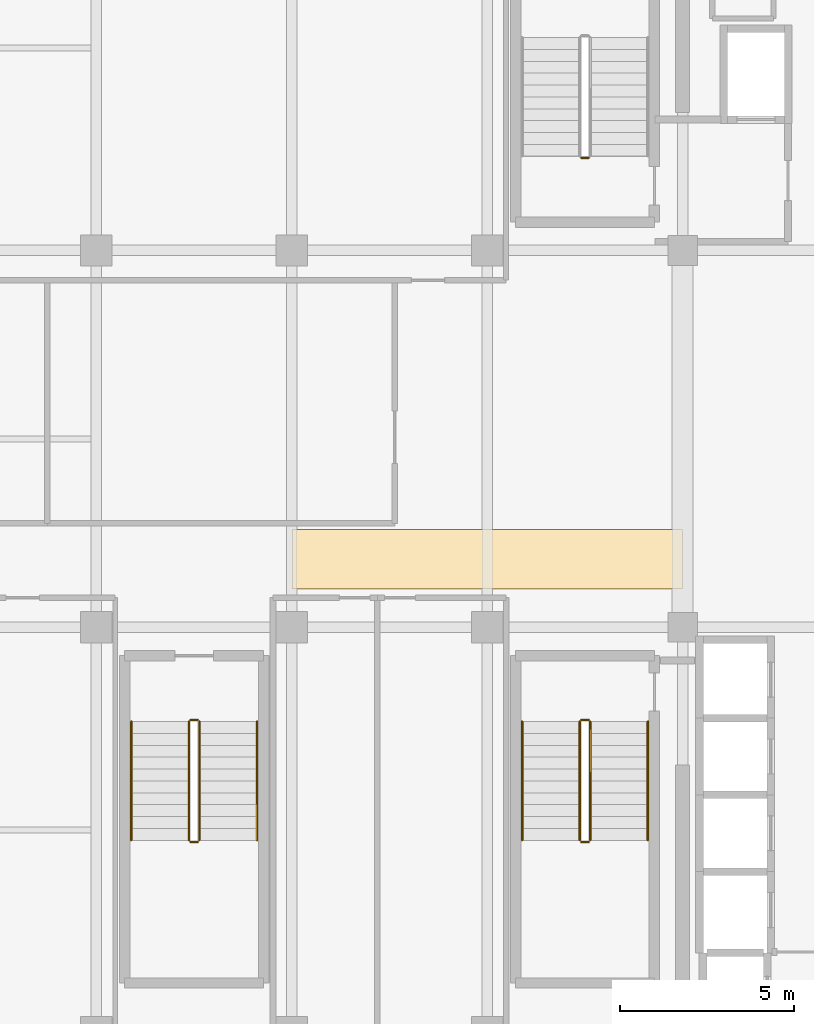
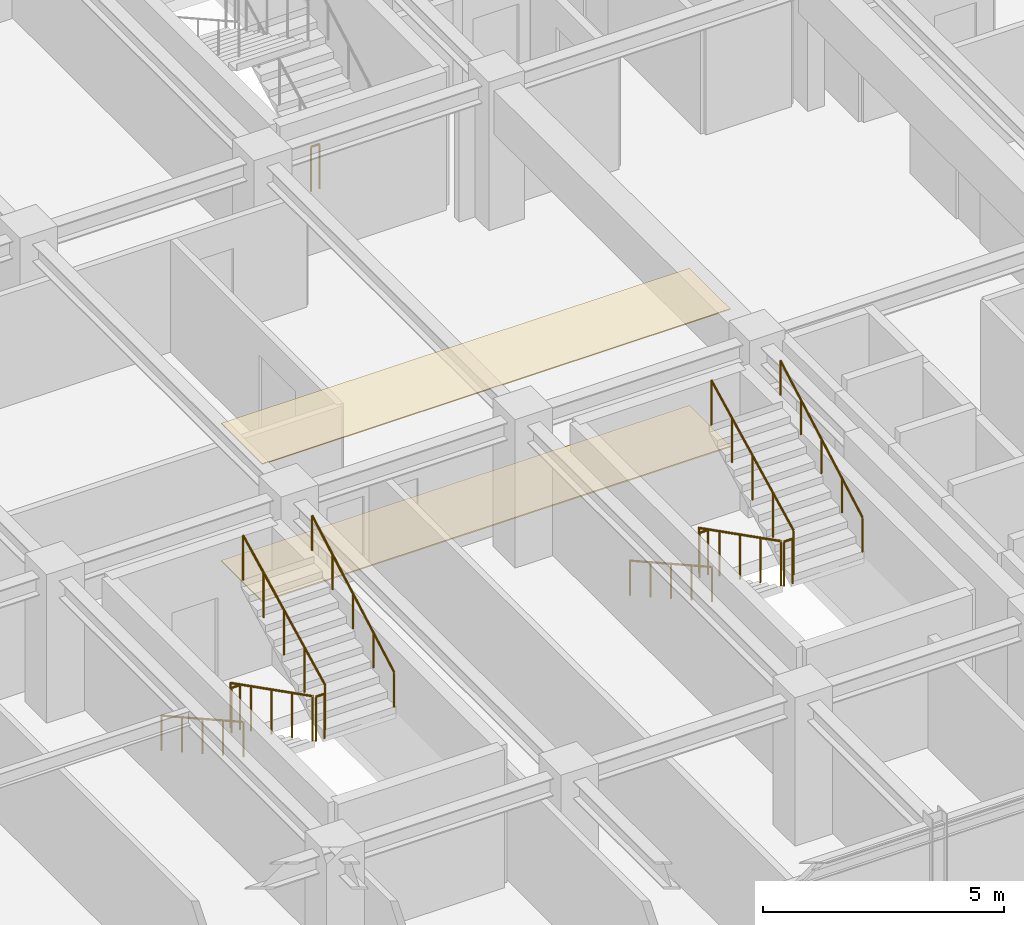
# One storey, part 34 of 36: 13 railings, 2 coverings.
"""IFC4 building model written with IfcOpenShell, lengths in metres."""

import ifcopenshell
import ifcopenshell.guid

model = None  # the IFC model being written
_history = None  # IfcOwnerHistory: only IFC2X3 demands one
_inside = {}  # id of a spatial element -> (the spatial element, [elements in it])
_under = {}  # id of a project, library or spatial element -> (it, [spatial elements below it])
_declared = {}  # id of a project -> (the project, [libraries it declares])
_typed = {}  # id of a type object -> (the type object, [elements of that type])
_made_of = {}  # id of a material, layer set ... -> (it, [elements and type objects made of it])


def new_model(schema):
    """Start an empty IFC model of exactly this schema.

    Asked for "IFC4X3", IfcOpenShell would pick the latest addendum, in which some entities
    have other attributes; the version numbers below select the first issue.
    IFC2X3 requires an IfcOwnerHistory on every rooted entity: one is made here for all.
    """
    global model, _history
    if schema == "IFC4X3":
        model = ifcopenshell.file(schema_version=(4, 3, 0, 0))
    else:
        model = ifcopenshell.file(schema=schema)
    _inside.clear()
    _under.clear()
    _declared.clear()
    _typed.clear()
    _made_of.clear()
    _history = None
    if model.schema == "IFC2X3":
        org = make("IfcOrganization", Name="unknown")
        user = make(
            "IfcPersonAndOrganization",
            ThePerson=make("IfcPerson", FamilyName="unknown"),
            TheOrganization=org,
        )
        app = make(
            "IfcApplication",
            ApplicationDeveloper=org,
            Version="unknown",
            ApplicationFullName="unknown",
            ApplicationIdentifier="unknown",
        )
        _history = make(
            "IfcOwnerHistory",
            OwningUser=user,
            OwningApplication=app,
            ChangeAction="ADDED",
            CreationDate=0,
        )
    return model


def make(cls, **values):
    """One entity of the class cls with the attributes given. An attribute that is None is left unset."""
    return model.create_entity(
        cls, **{name: value for name, value in values.items() if value is not None}
    )


def rooted(cls, **values):
    """An entity with a GlobalId (a new one), such as an element, a storey or a relation."""
    return make(cls, GlobalId=ifcopenshell.guid.new(), OwnerHistory=_history, **values)


def si_unit(unit_type, name, prefix=None):
    """IfcSIUnit, for example si_unit("LENGTHUNIT", "METRE", prefix="MILLI")."""
    return make("IfcSIUnit", UnitType=unit_type, Prefix=prefix, Name=name)


def assignment(units):
    """IfcUnitAssignment: the units of a project."""
    return None if units is None else make("IfcUnitAssignment", Units=units)


def point(xyz):
    """IfcCartesianPoint."""
    return None if xyz is None else make("IfcCartesianPoint", Coordinates=xyz)


def direction(xyz):
    """IfcDirection."""
    return None if xyz is None else make("IfcDirection", DirectionRatios=xyz)


def frame(location, z_axis=None, x_axis=None):
    """IfcAxis2Placement3D, a coordinate frame: its origin and axes. An axis left out is left unset."""
    return make(
        "IfcAxis2Placement3D",
        Location=point(location),
        Axis=direction(z_axis),
        RefDirection=direction(x_axis),
    )


def frame_2d(location, x_axis=None):
    """IfcAxis2Placement2D, a coordinate frame in the plane: its origin and x axis."""
    return make(
        "IfcAxis2Placement2D", Location=point(location), RefDirection=direction(x_axis)
    )


def origin():
    """The frame at (0, 0, 0) with its axes left unset."""
    return frame((0.0, 0.0, 0.0))


def origin_2d():
    """The frame at (0, 0) in the plane with its x axis left unset."""
    return frame_2d((0.0, 0.0))


def place(relative_to, where):
    """IfcLocalPlacement: puts the frame where relative to a parent placement (None: the world)."""
    return make(
        "IfcLocalPlacement", PlacementRelTo=relative_to, RelativePlacement=where
    )


def context(
    kind, dimensions, precision=None, world=None, true_north=None, identifier=None
):
    """IfcGeometricRepresentationContext, for example the 3D "Model" context."""
    return make(
        "IfcGeometricRepresentationContext",
        ContextIdentifier=identifier,
        ContextType=kind,
        CoordinateSpaceDimension=dimensions,
        Precision=precision,
        WorldCoordinateSystem=world,
        TrueNorth=true_north,
    )


def subcontext(parent, identifier, kind, view, scale=None):
    """IfcGeometricRepresentationSubContext, for example "Body" below "Model"."""
    return make(
        "IfcGeometricRepresentationSubContext",
        ContextIdentifier=identifier,
        ContextType=kind,
        ParentContext=parent,
        TargetScale=scale,
        TargetView=view,
    )


def project(units=None, contexts=None):
    """IfcProject with its units and contexts."""
    return rooted(
        "IfcProject",
        Name="project",
        RepresentationContexts=contexts,
        UnitsInContext=assignment(units),
    )


def spatial(cls, under=None, at=None, **own):
    """A site, building, storey or space (cls), placed at a placement, below another one or the project."""
    s = rooted(cls, ObjectPlacement=at, **own)
    if under is not None:
        _under.setdefault(under.id(), (under, []))[1].append(s)
    return s


def polyline(points):
    """IfcPolyline through the points."""
    return make("IfcPolyline", Points=[point(p) for p in points])


def profile(cls, at=None, kind="AREA", **sizes):
    """A parametric profile (cls). Its sizes go by their IFC names, for example OverallWidth=200.0."""
    return make(cls, ProfileType=kind, Position=at, **sizes)


def circle(**sizes):
    """IfcCircleProfileDef."""
    return profile("IfcCircleProfileDef", **sizes)


def outline(outer, holes=None, kind="AREA"):
    """IfcArbitraryClosedProfileDef: a profile drawn as a closed curve; with holes, ...WithVoids."""
    if holes is None:
        return make("IfcArbitraryClosedProfileDef", ProfileType=kind, OuterCurve=outer)
    return make(
        "IfcArbitraryProfileDefWithVoids",
        ProfileType=kind,
        OuterCurve=outer,
        InnerCurves=holes,
    )


def extrude(swept, where, along, depth):
    """IfcExtrudedAreaSolid: the profile swept, set in the frame where, extruded along a direction by depth."""
    return make(
        "IfcExtrudedAreaSolid",
        SweptArea=swept,
        Position=where,
        ExtrudedDirection=direction(along),
        Depth=depth,
    )


def shape(context_of_items, identifier, shape_type, items):
    """IfcShapeRepresentation: the items that make up one representation, for example the "Body"."""
    return make(
        "IfcShapeRepresentation",
        ContextOfItems=context_of_items,
        RepresentationIdentifier=identifier,
        RepresentationType=shape_type,
        Items=items,
    )


def material(Name=None, Category=None):
    """IfcMaterial."""
    return make("IfcMaterial", Name=Name, Category=Category)


def layer(
    of_material, thickness, ventilated=None, Name=None, Category=None, Priority=None
):
    """IfcMaterialLayer: one layer of a wall or slab, of a material (None: an air gap)."""
    return make(
        "IfcMaterialLayer",
        Material=of_material,
        LayerThickness=thickness,
        IsVentilated=ventilated,
        Name=Name,
        Category=Category,
        Priority=Priority,
    )


def layer_set(layers, Name=None):
    """IfcMaterialLayerSet."""
    return make("IfcMaterialLayerSet", MaterialLayers=layers, LayerSetName=Name)


def made_of(thing, what):
    """Note that an element or type object is made of a material, layer set ...; save() writes the relation."""
    if what is not None:
        _made_of.setdefault(what.id(), (what, []))[1].append(thing)
    return thing


def type_object(cls, material=None, **own):
    """A type object (cls), such as IfcWallType, which elements share."""
    return made_of(rooted(cls, **own), material)


def element(
    cls,
    number,
    at=None,
    inside=None,
    cuts=None,
    type_object=None,
    material=None,
    context=None,
    identifier="Body",
    shape_type=None,
    held_by="IfcProductDefinitionShape",
    body=None,
    shapes=None,
    **own,
):
    """One element of the class cls, such as IfcWall. Its Tag is "e" and its number.

    at: its placement. inside: the storey or other place that contains it. cuts: it is an
    opening in that element (IfcRelVoidsElement). A single representation is given by context,
    identifier, shape_type and body (its items); several are given by shapes. held_by: the class
    of the entity that holds the representations. save() writes the other relations.
    """
    e = rooted(cls, Tag="e%d" % number, ObjectPlacement=at, **own)
    if body is not None:
        shapes = [shape(context, identifier, shape_type, body)]
    if shapes is not None:
        e.Representation = make(held_by, Representations=shapes)
    if inside is not None:
        _inside.setdefault(inside.id(), (inside, []))[1].append(e)
    if cuts is not None:
        rooted(
            "IfcRelVoidsElement", RelatingBuildingElement=cuts, RelatedOpeningElement=e
        )
    if type_object is not None:
        _typed.setdefault(type_object.id(), (type_object, []))[1].append(e)
    return made_of(e, material)


def aggregate(whole, parts):
    """IfcRelAggregates: a whole, such as a stair, and the parts it consists of."""
    return rooted("IfcRelAggregates", RelatingObject=whole, RelatedObjects=parts)


def save(model, path):
    """Write the relations noted so far, then the file.

    IfcRelAggregates (storeys below a building ...), IfcRelContainedInSpatialStructure (elements
    in a storey), IfcRelDefinesByType, IfcRelAssociatesMaterial and IfcRelDeclares: one each for
    every whole, place, type object, material and project.
    """
    for whole, parts in _under.values():
        aggregate(whole, parts)
    for where, things in _inside.values():
        rooted(
            "IfcRelContainedInSpatialStructure",
            RelatedElements=things,
            RelatingStructure=where,
        )
    for kind, things in _typed.values():
        rooted("IfcRelDefinesByType", RelatedObjects=things, RelatingType=kind)
    for what, things in _made_of.values():
        rooted("IfcRelAssociatesMaterial", RelatedObjects=things, RelatingMaterial=what)
    for by, libraries in _declared.values():
        rooted("IfcRelDeclares", RelatingContext=by, RelatedDefinitions=libraries)
    model.write(path)


model = new_model("IFC4")

# Units and contexts
model_context = context("Model", 3, precision=1e-05, world=origin(), true_north=direction((0.0, 1.0)))
body_context = subcontext(model_context, "Body", "Model", "MODEL_VIEW")
ifc_project = project(units=[si_unit("LENGTHUNIT", "METRE"), si_unit("AREAUNIT", "SQUARE_METRE"), si_unit("VOLUMEUNIT", "CUBIC_METRE"), si_unit("PLANEANGLEUNIT", "RADIAN"), si_unit("MASSUNIT", "GRAM", prefix="KILO")], contexts=[model_context])

# Site, building, storey
site_placement = place(None, origin())
site = spatial("IfcSite", under=ifc_project, at=site_placement, CompositionType="ELEMENT")
building_placement = place(site_placement, origin())
building = spatial("IfcBuilding", under=site, at=building_placement, Name="Nahalor Promenade Grand Hotel", CompositionType="ELEMENT")
storey_placement = place(building_placement, frame((0.0, 0.0, 319.550048828125)))
storey = spatial("IfcBuildingStorey", under=building, at=storey_placement, Name="L82", CompositionType="ELEMENT", Elevation=319.550048828125)

# Coverings
ifc_material_1 = material(Name="Acoustic Mineral Gypsum", Category="gypsum")
ifc_layer_1 = layer(ifc_material_1, 0.02490234375)
ifc_layer_set_1 = layer_set([ifc_layer_1], Name="Acoustic Mineral Gypsum")
covering_type_1 = type_object("IfcCoveringType", Name="Acoustic Suspended Ceiling Tile", PredefinedType="CEILING", material=ifc_layer_set_1)
covering_1_placement = place(storey_placement, frame((0.0, 0.0, 3.474853515625)))
element("IfcCovering", 1, at=covering_1_placement, inside=storey, type_object=covering_type_1, Name="CV-CEIL-L82", PredefinedType="CEILING", context=body_context, shape_type="SweptSolid", body=[
    extrude(outline(polyline([(-2.800048828125, -4.300048828125), (8.39990234375, -4.300048828125), (8.39990234375, -2.60009765625), (-2.800048828125, -2.60009765625), (-2.800048828125, -4.300048828125)])), origin(), (0.0, 0.0, 1.0), 0.025146484375),
])
ifc_material_2 = material(Name="Jerusalem Limestone Flooring", Category="masonry")
ifc_layer_2 = layer(ifc_material_2, 0.030029296875)
ifc_layer_set_2 = layer_set([ifc_layer_2], Name="Jerusalem Limestone Flooring")
covering_type_2 = type_object("IfcCoveringType", Name="Honed Limestone Floor Finish", PredefinedType="FLOORING", material=ifc_layer_set_2)
covering_2_placement = place(storey_placement, origin())
element("IfcCovering", 2, at=covering_2_placement, inside=storey, type_object=covering_type_2, Name="CV-FLOR-L82", PredefinedType="FLOORING", context=body_context, shape_type="SweptSolid", body=[
    extrude(outline(polyline([(-2.800048828125, -4.300048828125), (8.39990234375, -4.300048828125), (8.39990234375, -2.60009765625), (-2.800048828125, -2.60009765625), (-2.800048828125, -4.300048828125)])), origin(), (0.0, 0.0, 1.0), 0.030029296875),
])

# Railings
ifc_material_3 = material(Name="Steel S355JR", Category="steel")
railing_type_1 = type_object("IfcRailingType", Name="Steel Stair Guardrail 1150 mm", PredefinedType="GUARDRAIL", material=ifc_material_3)
railing_1_placement = place(storey_placement, frame((5.699951171875, 8.050048828125, 0.0)))
element("IfcRailing", 3, at=railing_1_placement, inside=storey, type_object=railing_type_1, Name="L82 ST1 stair guard 4", PredefinedType="GUARDRAIL", context=body_context, shape_type="SweptSolid", body=[
    extrude(circle(Radius=0.024048, at=origin_2d()), frame((0.0, 0.0, 1.1259765625), z_axis=(-1.0, 0.0, 0.0), x_axis=(0.0, -1.0, 0.0)), (0.0, 0.0, 1.0), 0.199951171875),
    extrude(circle(Radius=0.020996, at=origin_2d()), origin(), (0.0, 0.0, 1.0), 1.099853515625),
    extrude(circle(Radius=0.020996, at=origin_2d()), frame((-0.199951171875, 0.0, 0.0)), (0.0, 0.0, 1.0), 1.099853515625),
])
railing_2_placement = place(storey_placement, frame((5.449951171875, -8.10009765625, 0.172607421875)))
element("IfcRailing", 4, at=railing_2_placement, inside=storey, type_object=railing_type_1, Name="L82 ST2 stair guard 1", PredefinedType="GUARDRAIL", context=body_context, shape_type="SweptSolid", body=[
    extrude(circle(Radius=0.024048, at=origin_2d()), frame((0.0, 0.0, 1.1259765625), z_axis=(0.0, -0.89154070688, 0.452940578858), x_axis=(1.0, 0.0, 0.0)), (0.0, 0.0, 1.0), 3.8134765625),
    extrude(circle(Radius=0.020996, at=origin_2d()), origin(), (0.0, 0.0, 1.0), 1.099853515625),
    extrude(circle(Radius=0.020996, at=origin_2d()), frame((0.0, -0.85009765625, 0.431884765625)), (0.0, 0.0, 1.0), 1.099853515625),
    extrude(circle(Radius=0.020996, at=origin_2d()), frame((0.0, -1.699951171875, 0.86376953125)), (0.0, 0.0, 1.0), 1.099853515625),
    extrude(circle(Radius=0.020996, at=origin_2d()), frame((0.0, -2.5498046875, 1.29541015625)), (0.0, 0.0, 1.0), 1.099853515625),
    extrude(circle(Radius=0.020996, at=origin_2d()), frame((0.0, -3.39990234375, 1.727294921875)), (0.0, 0.0, 1.0), 1.099853515625),
])
railing_3_placement = place(storey_placement, frame((5.5, -11.550048828125, 1.89990234375)))
element("IfcRailing", 5, at=railing_3_placement, inside=storey, type_object=railing_type_1, Name="L82 ST2 stair guard 2", PredefinedType="GUARDRAIL", context=body_context, shape_type="SweptSolid", body=[
    extrude(circle(Radius=0.024048, at=origin_2d()), frame((0.0, 0.0, 1.1259765625), z_axis=(1.0, 0.0, 0.0), x_axis=(0.0, 1.0, 0.0)), (0.0, 0.0, 1.0), 0.199951171875),
    extrude(circle(Radius=0.020996, at=origin_2d()), origin(), (0.0, 0.0, 1.0), 1.099853515625),
    extrude(circle(Radius=0.020996, at=origin_2d()), frame((0.199951171875, 0.0, 0.0)), (0.0, 0.0, 1.0), 1.099853515625),
])
railing_4_placement = place(storey_placement, frame((5.75, -11.5, 2.07275390625)))
element("IfcRailing", 6, at=railing_4_placement, inside=storey, type_object=railing_type_1, Name="L82 ST2 stair guard 3", PredefinedType="GUARDRAIL", context=body_context, shape_type="SweptSolid", body=[
    extrude(circle(Radius=0.024048, at=origin_2d()), frame((0.0, 0.0, 1.1259765625), z_axis=(0.0, 0.89154070688, 0.452940578858), x_axis=(-1.0, 0.0, 0.0)), (0.0, 0.0, 1.0), 3.8134765625),
    extrude(circle(Radius=0.020996, at=origin_2d()), origin(), (0.0, 0.0, 1.0), 1.099853515625),
    extrude(circle(Radius=0.020996, at=origin_2d()), frame((0.0, 0.85009765625, 0.431884765625)), (0.0, 0.0, 1.0), 1.099853515625),
    extrude(circle(Radius=0.020996, at=origin_2d()), frame((0.0, 1.699951171875, 0.86376953125)), (0.0, 0.0, 1.0), 1.099853515625),
    extrude(circle(Radius=0.020996, at=origin_2d()), frame((0.0, 2.5498046875, 1.29541015625)), (0.0, 0.0, 1.0), 1.099853515625),
    extrude(circle(Radius=0.020996, at=origin_2d()), frame((0.0, 3.39990234375, 1.727294921875)), (0.0, 0.0, 1.0), 1.099853515625),
])
railing_5_placement = place(storey_placement, frame((5.5, -8.050048828125, 0.0)))
element("IfcRailing", 7, at=railing_5_placement, inside=storey, type_object=railing_type_1, Name="L82 ST2 stair guard 4", PredefinedType="GUARDRAIL", context=body_context, shape_type="SweptSolid", body=[
    extrude(circle(Radius=0.024048, at=origin_2d()), frame((0.0, 0.0, 1.1259765625), z_axis=(1.0, 0.0, 0.0), x_axis=(0.0, 1.0, 0.0)), (0.0, 0.0, 1.0), 0.199951171875),
    extrude(circle(Radius=0.020996, at=origin_2d()), origin(), (0.0, 0.0, 1.0), 1.099853515625),
    extrude(circle(Radius=0.020996, at=origin_2d()), frame((0.199951171875, 0.0, 0.0)), (0.0, 0.0, 1.0), 1.099853515625),
])
railing_6_placement = place(storey_placement, frame((-5.75, -8.10009765625, 0.172607421875)))
element("IfcRailing", 8, at=railing_6_placement, inside=storey, type_object=railing_type_1, Name="L82 ST3 stair guard 1", PredefinedType="GUARDRAIL", context=body_context, shape_type="SweptSolid", body=[
    extrude(circle(Radius=0.024048, at=origin_2d()), frame((0.0, 0.0, 1.1259765625), z_axis=(0.0, -0.89154070688, 0.452940578858), x_axis=(1.0, 0.0, 0.0)), (0.0, 0.0, 1.0), 3.8134765625),
    extrude(circle(Radius=0.020996, at=origin_2d()), origin(), (0.0, 0.0, 1.0), 1.099853515625),
    extrude(circle(Radius=0.020996, at=origin_2d()), frame((0.0, -0.85009765625, 0.431884765625)), (0.0, 0.0, 1.0), 1.099853515625),
    extrude(circle(Radius=0.020996, at=origin_2d()), frame((0.0, -1.699951171875, 0.86376953125)), (0.0, 0.0, 1.0), 1.099853515625),
    extrude(circle(Radius=0.020996, at=origin_2d()), frame((0.0, -2.5498046875, 1.29541015625)), (0.0, 0.0, 1.0), 1.099853515625),
    extrude(circle(Radius=0.020996, at=origin_2d()), frame((0.0, -3.39990234375, 1.727294921875)), (0.0, 0.0, 1.0), 1.099853515625),
])
railing_7_placement = place(storey_placement, frame((-5.699951171875, -11.550048828125, 1.89990234375)))
element("IfcRailing", 9, at=railing_7_placement, inside=storey, type_object=railing_type_1, Name="L82 ST3 stair guard 2", PredefinedType="GUARDRAIL", context=body_context, shape_type="SweptSolid", body=[
    extrude(circle(Radius=0.024048, at=origin_2d()), frame((0.0, 0.0, 1.1259765625), z_axis=(1.0, 0.0, 0.0), x_axis=(0.0, 1.0, 0.0)), (0.0, 0.0, 1.0), 0.199951171875),
    extrude(circle(Radius=0.020996, at=origin_2d()), origin(), (0.0, 0.0, 1.0), 1.099853515625),
    extrude(circle(Radius=0.020996, at=origin_2d()), frame((0.199951171875, 0.0, 0.0)), (0.0, 0.0, 1.0), 1.099853515625),
])
railing_8_placement = place(storey_placement, frame((-5.449951171875, -11.5, 2.07275390625)))
element("IfcRailing", 10, at=railing_8_placement, inside=storey, type_object=railing_type_1, Name="L82 ST3 stair guard 3", PredefinedType="GUARDRAIL", context=body_context, shape_type="SweptSolid", body=[
    extrude(circle(Radius=0.024048, at=origin_2d()), frame((0.0, 0.0, 1.1259765625), z_axis=(0.0, 0.89154070688, 0.452940578858), x_axis=(-1.0, 0.0, 0.0)), (0.0, 0.0, 1.0), 3.8134765625),
    extrude(circle(Radius=0.020996, at=origin_2d()), origin(), (0.0, 0.0, 1.0), 1.099853515625),
    extrude(circle(Radius=0.020996, at=origin_2d()), frame((0.0, 0.85009765625, 0.431884765625)), (0.0, 0.0, 1.0), 1.099853515625),
    extrude(circle(Radius=0.020996, at=origin_2d()), frame((0.0, 1.699951171875, 0.86376953125)), (0.0, 0.0, 1.0), 1.099853515625),
    extrude(circle(Radius=0.020996, at=origin_2d()), frame((0.0, 2.5498046875, 1.29541015625)), (0.0, 0.0, 1.0), 1.099853515625),
    extrude(circle(Radius=0.020996, at=origin_2d()), frame((0.0, 3.39990234375, 1.727294921875)), (0.0, 0.0, 1.0), 1.099853515625),
])
railing_9_placement = place(storey_placement, frame((-5.699951171875, -8.050048828125, 0.0)))
element("IfcRailing", 11, at=railing_9_placement, inside=storey, type_object=railing_type_1, Name="L82 ST3 stair guard 4", PredefinedType="GUARDRAIL", context=body_context, shape_type="SweptSolid", body=[
    extrude(circle(Radius=0.024048, at=origin_2d()), frame((0.0, 0.0, 1.1259765625), z_axis=(1.0, 0.0, 0.0), x_axis=(0.0, 1.0, 0.0)), (0.0, 0.0, 1.0), 0.199951171875),
    extrude(circle(Radius=0.020996, at=origin_2d()), origin(), (0.0, 0.0, 1.0), 1.099853515625),
    extrude(circle(Radius=0.020996, at=origin_2d()), frame((0.199951171875, 0.0, 0.0)), (0.0, 0.0, 1.0), 1.099853515625),
])
railing_type_2 = type_object("IfcRailingType", Name="Steel Stair Handrail 900 mm", PredefinedType="HANDRAIL", material=ifc_material_3)
railing_10_placement = place(storey_placement, frame((3.800048828125, -8.10009765625, 0.172607421875)))
element("IfcRailing", 12, at=railing_10_placement, inside=storey, type_object=railing_type_2, Name="L82 ST2 stair handrail 1", PredefinedType="HANDRAIL", context=body_context, shape_type="SweptSolid", body=[
    extrude(circle(Radius=0.024048, at=origin_2d()), frame((0.0, 0.0, 0.8759765625), z_axis=(0.0, -0.872921498864, 0.487860694073), x_axis=(1.0, 0.0, 0.0)), (0.0, 0.0, 1.0), 3.894775390625),
    extrude(circle(Radius=0.020996, at=origin_2d()), origin(), (0.0, 0.0, 1.0), 0.849853515625),
    extrude(circle(Radius=0.020996, at=origin_2d()), frame((0.0, -0.85009765625, 0.47509765625)), (0.0, 0.0, 1.0), 0.849853515625),
    extrude(circle(Radius=0.020996, at=origin_2d()), frame((0.0, -1.699951171875, 0.9501953125)), (0.0, 0.0, 1.0), 0.849853515625),
    extrude(circle(Radius=0.020996, at=origin_2d()), frame((0.0, -2.5498046875, 1.425048828125)), (0.0, 0.0, 1.0), 0.849853515625),
    extrude(circle(Radius=0.020996, at=origin_2d()), frame((0.0, -3.39990234375, 1.900146484375)), (0.0, 0.0, 1.0), 0.849853515625),
])
railing_11_placement = place(storey_placement, frame((7.39990234375, -11.5, 2.07275390625)))
element("IfcRailing", 13, at=railing_11_placement, inside=storey, type_object=railing_type_2, Name="L82 ST2 stair handrail 2", PredefinedType="HANDRAIL", context=body_context, shape_type="SweptSolid", body=[
    extrude(circle(Radius=0.024048, at=origin_2d()), frame((0.0, 0.0, 0.8759765625), z_axis=(0.0, 0.872948192752, 0.487812928048), x_axis=(-1.0, 0.0, 0.0)), (0.0, 0.0, 1.0), 3.894775390625),
    extrude(circle(Radius=0.020996, at=origin_2d()), origin(), (0.0, 0.0, 1.0), 0.849853515625),
    extrude(circle(Radius=0.020996, at=origin_2d()), frame((0.0, 0.85009765625, 0.47509765625)), (0.0, 0.0, 1.0), 0.849853515625),
    extrude(circle(Radius=0.020996, at=origin_2d()), frame((0.0, 1.699951171875, 0.949951171875)), (0.0, 0.0, 1.0), 0.849853515625),
    extrude(circle(Radius=0.020996, at=origin_2d()), frame((0.0, 2.5498046875, 1.4248046875)), (0.0, 0.0, 1.0), 0.849853515625),
    extrude(circle(Radius=0.020996, at=origin_2d()), frame((0.0, 3.39990234375, 1.89990234375)), (0.0, 0.0, 1.0), 0.849853515625),
])
railing_12_placement = place(storey_placement, frame((-7.39990234375, -8.10009765625, 0.172607421875)))
element("IfcRailing", 14, at=railing_12_placement, inside=storey, type_object=railing_type_2, Name="L82 ST3 stair handrail 1", PredefinedType="HANDRAIL", context=body_context, shape_type="SweptSolid", body=[
    extrude(circle(Radius=0.024048, at=origin_2d()), frame((0.0, 0.0, 0.8759765625), z_axis=(0.0, -0.872921498864, 0.487860694073), x_axis=(1.0, 0.0, 0.0)), (0.0, 0.0, 1.0), 3.894775390625),
    extrude(circle(Radius=0.020996, at=origin_2d()), origin(), (0.0, 0.0, 1.0), 0.849853515625),
    extrude(circle(Radius=0.020996, at=origin_2d()), frame((0.0, -0.85009765625, 0.47509765625)), (0.0, 0.0, 1.0), 0.849853515625),
    extrude(circle(Radius=0.020996, at=origin_2d()), frame((0.0, -1.699951171875, 0.9501953125)), (0.0, 0.0, 1.0), 0.849853515625),
    extrude(circle(Radius=0.020996, at=origin_2d()), frame((0.0, -2.5498046875, 1.425048828125)), (0.0, 0.0, 1.0), 0.849853515625),
    extrude(circle(Radius=0.020996, at=origin_2d()), frame((0.0, -3.39990234375, 1.900146484375)), (0.0, 0.0, 1.0), 0.849853515625),
])
railing_13_placement = place(storey_placement, frame((-3.800048828125, -11.5, 2.07275390625)))
element("IfcRailing", 15, at=railing_13_placement, inside=storey, type_object=railing_type_2, Name="L82 ST3 stair handrail 2", PredefinedType="HANDRAIL", context=body_context, shape_type="SweptSolid", body=[
    extrude(circle(Radius=0.024048, at=origin_2d()), frame((0.0, 0.0, 0.8759765625), z_axis=(0.0, 0.872948192752, 0.487812928048), x_axis=(-1.0, 0.0, 0.0)), (0.0, 0.0, 1.0), 3.894775390625),
    extrude(circle(Radius=0.020996, at=origin_2d()), origin(), (0.0, 0.0, 1.0), 0.849853515625),
    extrude(circle(Radius=0.020996, at=origin_2d()), frame((0.0, 0.85009765625, 0.47509765625)), (0.0, 0.0, 1.0), 0.849853515625),
    extrude(circle(Radius=0.020996, at=origin_2d()), frame((0.0, 1.699951171875, 0.949951171875)), (0.0, 0.0, 1.0), 0.849853515625),
    extrude(circle(Radius=0.020996, at=origin_2d()), frame((0.0, 2.5498046875, 1.4248046875)), (0.0, 0.0, 1.0), 0.849853515625),
    extrude(circle(Radius=0.020996, at=origin_2d()), frame((0.0, 3.39990234375, 1.89990234375)), (0.0, 0.0, 1.0), 0.849853515625),
])

save(model, "model.ifc")
